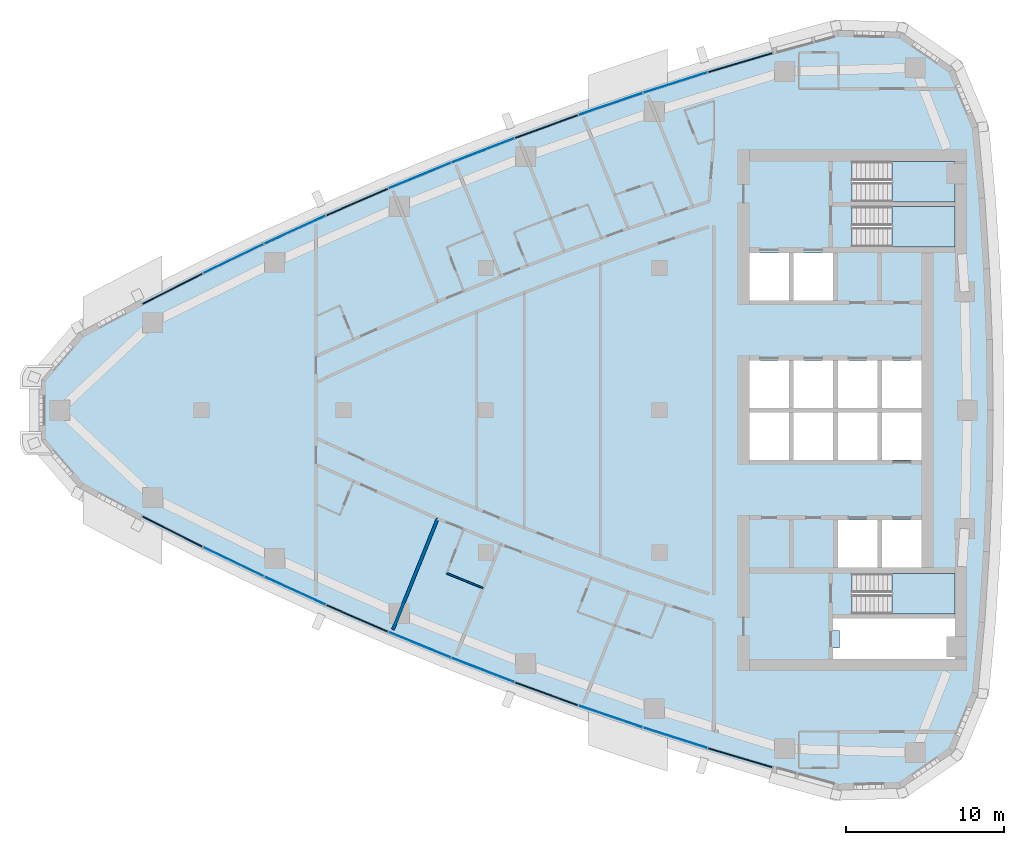
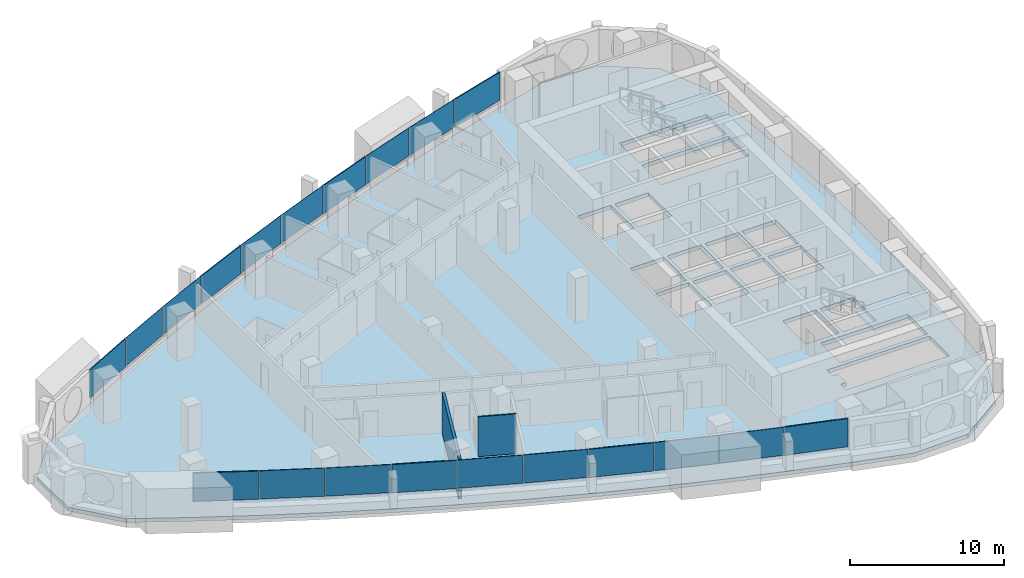
# One storey, part 8 of 17: 20 plates, 4 slabs, 2 walls, 1 opening, 13 elements without a shape of their own.
"""IFC4 building model written with IfcOpenShell, lengths in metres."""

from ifc_helpers import new_model, si_unit, direction, frame, frame_2d, origin, origin_2d, place, context, subcontext, project, spatial, polyline, rectangle, outline, extrude, material, layer, layer_set, type_object, element, aggregate, save


model = new_model("IFC4")

# Units and contexts
model_context = context("Model", 3, precision=1e-05, world=origin(), true_north=direction((0.0, 1.0)))
body_context = subcontext(model_context, "Body", "Model", "MODEL_VIEW")
ifc_project = project(units=[si_unit("LENGTHUNIT", "METRE"), si_unit("AREAUNIT", "SQUARE_METRE"), si_unit("VOLUMEUNIT", "CUBIC_METRE"), si_unit("PLANEANGLEUNIT", "RADIAN"), si_unit("MASSUNIT", "GRAM", prefix="KILO")], contexts=[model_context])

# Site, building, storey
site_placement = place(None, origin())
site = spatial("IfcSite", under=ifc_project, at=site_placement, CompositionType="ELEMENT")
building_placement = place(site_placement, origin())
building = spatial("IfcBuilding", under=site, at=building_placement, Name="Ostrand Prow Hotel Tower", CompositionType="ELEMENT")
storey_placement = place(building_placement, frame((0.0, 0.0, 207.449951171875)))
storey = spatial("IfcBuildingStorey", under=building, at=storey_placement, Name="L52", CompositionType="ELEMENT", Elevation=207.449951171875)

# Curtain wall, plate
ifc_material_1 = material(Name="Insulated glass in bronze anodised frame", Category="glass")
ifc_layer_1 = layer(ifc_material_1, 0.199951171875)
ifc_layer_set_1 = layer_set([ifc_layer_1], Name="Insulated glass in bronze anodised frame")
curtain_wall_type = type_object("IfcCurtainWallType", Name="Strip curtain wall, fritted glass over bronze spandrel", PredefinedType="NOTDEFINED", material=ifc_layer_set_1)
curtain_wall_1_placement = place(storey_placement, origin())
curtain_wall_1 = element("IfcCurtainWall", 1, at=curtain_wall_1_placement, inside=storey, type_object=curtain_wall_type, Name="CW1 run CWS1", PredefinedType="NOTDEFINED")
ifc_material_2 = material(Name="Ceramic-fritted glass", Category="glass")
ifc_layer_2 = layer(ifc_material_2, 0.031982421875)
ifc_layer_set_2 = layer_set([ifc_layer_2], Name="Ceramic-fritted glass")
plate_type_1 = type_object("IfcPlateType", Name="Dot-fritted ceramic glass unit 32 mm", PredefinedType="CURTAIN_PANEL", material=ifc_layer_set_2)
plate_1_placement = place(storey_placement, frame((18.033203125, -9.596435546875, 1.02001953125), z_axis=(0.0, 0.0, 1.0), x_axis=(0.90061633232, -0.434615027304, 0.0)))
plate_1 = element("IfcPlate", 2, at=plate_1_placement, type_object=plate_type_1, Name="CW1 PN-D panel 2.2", PredefinedType="CURTAIN_PANEL", context=body_context, shape_type="SweptSolid", body=[
    extrude(rectangle(XDim=4.2451171875, YDim=0.031982421875, at=origin_2d()), origin(), (0.0, 0.0, 1.0), 2.22998046875),
])

curtain_wall_2_placement = place(storey_placement, origin())
curtain_wall_2 = element("IfcCurtainWall", 3, at=curtain_wall_2_placement, inside=storey, type_object=curtain_wall_type, Name="CW1 run CWS2", PredefinedType="NOTDEFINED")
plate_2_placement = place(storey_placement, frame((21.928955078125, -11.428466796875, 1.02001953125), z_axis=(0.0, 0.0, 1.0), x_axis=(0.909184517226, -0.416393460127, 0.0)))
plate_2 = element("IfcPlate", 4, at=plate_2_placement, type_object=plate_type_1, Name="CW1 PN-D panel 1.2", PredefinedType="CURTAIN_PANEL", context=body_context, shape_type="SweptSolid", body=[
    extrude(rectangle(XDim=4.2451171875, YDim=0.031982421875, at=origin_2d()), origin(), (0.0, 0.0, 1.0), 2.22998046875),
])

# Curtain wall, plates
curtain_wall_3_placement = place(storey_placement, origin())
curtain_wall_3 = element("IfcCurtainWall", 5, at=curtain_wall_3_placement, inside=storey, type_object=curtain_wall_type, Name="CW1 run CWS3", PredefinedType="NOTDEFINED")
plate_3_placement = place(storey_placement, frame((29.826904296875, -14.85498046875, 1.02001953125), z_axis=(0.0, 0.0, 1.0), x_axis=(0.925211042932, -0.379452929936, 0.0)))
plate_3 = element("IfcPlate", 6, at=plate_3_placement, type_object=plate_type_1, Name="CW1 PN-D panel 1.2", PredefinedType="CURTAIN_PANEL", context=body_context, shape_type="SweptSolid", body=[
    extrude(rectangle(XDim=4.2451171875, YDim=0.031982421875, at=origin_2d()), origin(), (0.0, 0.0, 1.0), 2.22998046875),
])
plate_4_placement = place(storey_placement, frame((33.826171875, -16.4482421875, 1.02001953125), z_axis=(0.0, 0.0, 1.0), x_axis=(0.932662950972, -0.360748970732, 0.0)))
plate_4 = element("IfcPlate", 7, at=plate_4_placement, type_object=plate_type_1, Name="CW1 PN-D panel 2.2", PredefinedType="CURTAIN_PANEL", context=body_context, shape_type="SweptSolid", body=[
    extrude(rectangle(XDim=4.2451171875, YDim=0.031982421875, at=origin_2d()), origin(), (0.0, 0.0, 1.0), 2.22998046875),
])
aggregate(curtain_wall_3, [plate_3, plate_4])

# Curtain wall, plate
curtain_wall_4_placement = place(storey_placement, origin())
curtain_wall_4 = element("IfcCurtainWall", 8, at=curtain_wall_4_placement, inside=storey, type_object=curtain_wall_type, Name="CW1 run CWS4", PredefinedType="NOTDEFINED")
plate_5_placement = place(storey_placement, frame((41.91650390625, -19.3916015625, 1.02001953125), z_axis=(0.0, 0.0, 1.0), x_axis=(0.946430245113, -0.322908332404, 0.0)))
plate_5 = element("IfcPlate", 9, at=plate_5_placement, type_object=plate_type_1, Name="CW1 PN-D panel 2.2", PredefinedType="CURTAIN_PANEL", context=body_context, shape_type="SweptSolid", body=[
    extrude(rectangle(XDim=4.2451171875, YDim=0.031982421875, at=origin_2d()), origin(), (0.0, 0.0, 1.0), 2.22998046875),
])

curtain_wall_5_placement = place(storey_placement, origin())
curtain_wall_5 = element("IfcCurtainWall", 10, at=curtain_wall_5_placement, inside=storey, type_object=curtain_wall_type, Name="CW1 run CWS5", PredefinedType="NOTDEFINED")
plate_6_placement = place(storey_placement, frame((46.00439453125, -20.74072265625, 1.02001953125), z_axis=(0.0, 0.0, 1.0), x_axis=(0.952739983864, -0.303786970008, 0.0)))
plate_6 = element("IfcPlate", 11, at=plate_6_placement, type_object=plate_type_1, Name="CW1 PN-D panel 1.2", PredefinedType="CURTAIN_PANEL", context=body_context, shape_type="SweptSolid", body=[
    extrude(rectangle(XDim=4.2451171875, YDim=0.031982421875, at=origin_2d()), origin(), (0.0, 0.0, 1.0), 2.22998046875),
])

curtain_wall_6_placement = place(storey_placement, origin())
curtain_wall_6 = element("IfcCurtainWall", 12, at=curtain_wall_6_placement, inside=storey, type_object=curtain_wall_type, Name="CW1 run CWN1", PredefinedType="NOTDEFINED")
plate_7_placement = place(storey_placement, frame((46.00439453125, 20.74072265625, 1.02001953125), z_axis=(0.0, 0.0, 1.0), x_axis=(-0.952739983864, -0.303786970008, 0.0)))
plate_7 = element("IfcPlate", 13, at=plate_7_placement, type_object=plate_type_1, Name="CW1 PN-D panel 2.2", PredefinedType="CURTAIN_PANEL", context=body_context, shape_type="SweptSolid", body=[
    extrude(rectangle(XDim=4.2451171875, YDim=0.031982421875, at=origin_2d()), origin(), (0.0, 0.0, 1.0), 2.22998046875),
])

curtain_wall_7_placement = place(storey_placement, origin())
curtain_wall_7 = element("IfcCurtainWall", 14, at=curtain_wall_7_placement, inside=storey, type_object=curtain_wall_type, Name="CW1 run CWN2", PredefinedType="NOTDEFINED")
plate_8_placement = place(storey_placement, frame((41.91650390625, 19.3916015625, 1.02001953125), z_axis=(0.0, 0.0, 1.0), x_axis=(-0.946430245113, -0.322908332404, 0.0)))
plate_8 = element("IfcPlate", 15, at=plate_8_placement, type_object=plate_type_1, Name="CW1 PN-D panel 1.2", PredefinedType="CURTAIN_PANEL", context=body_context, shape_type="SweptSolid", body=[
    extrude(rectangle(XDim=4.2451171875, YDim=0.031982421875, at=origin_2d()), origin(), (0.0, 0.0, 1.0), 2.22998046875),
])

# Curtain wall, plates
curtain_wall_8_placement = place(storey_placement, origin())
curtain_wall_8 = element("IfcCurtainWall", 16, at=curtain_wall_8_placement, inside=storey, type_object=curtain_wall_type, Name="CW1 run CWN3", PredefinedType="NOTDEFINED")
plate_9_placement = place(storey_placement, frame((33.826171875, 16.4482421875, 1.02001953125), z_axis=(0.0, 0.0, 1.0), x_axis=(-0.932662950972, -0.360748970732, 0.0)))
plate_9 = element("IfcPlate", 17, at=plate_9_placement, type_object=plate_type_1, Name="CW1 PN-D panel 1.2", PredefinedType="CURTAIN_PANEL", context=body_context, shape_type="SweptSolid", body=[
    extrude(rectangle(XDim=4.2451171875, YDim=0.031982421875, at=origin_2d()), origin(), (0.0, 0.0, 1.0), 2.22998046875),
])
plate_10_placement = place(storey_placement, frame((29.826904296875, 14.85498046875, 1.02001953125), z_axis=(0.0, 0.0, 1.0), x_axis=(-0.925211042932, -0.379452929936, 0.0)))
plate_10 = element("IfcPlate", 18, at=plate_10_placement, type_object=plate_type_1, Name="CW1 PN-D panel 2.2", PredefinedType="CURTAIN_PANEL", context=body_context, shape_type="SweptSolid", body=[
    extrude(rectangle(XDim=4.2451171875, YDim=0.031982421875, at=origin_2d()), origin(), (0.0, 0.0, 1.0), 2.22998046875),
])
aggregate(curtain_wall_8, [plate_9, plate_10])

# Curtain wall, plate
curtain_wall_9_placement = place(storey_placement, origin())
curtain_wall_9 = element("IfcCurtainWall", 19, at=curtain_wall_9_placement, inside=storey, type_object=curtain_wall_type, Name="CW1 run CWN4", PredefinedType="NOTDEFINED")
plate_11_placement = place(storey_placement, frame((21.928955078125, 11.428466796875, 1.02001953125), z_axis=(0.0, 0.0, 1.0), x_axis=(-0.909184517226, -0.416393460127, 0.0)))
plate_11 = element("IfcPlate", 20, at=plate_11_placement, type_object=plate_type_1, Name="CW1 PN-D panel 2.2", PredefinedType="CURTAIN_PANEL", context=body_context, shape_type="SweptSolid", body=[
    extrude(rectangle(XDim=4.2451171875, YDim=0.031982421875, at=origin_2d()), origin(), (0.0, 0.0, 1.0), 2.22998046875),
])

curtain_wall_10_placement = place(storey_placement, origin())
curtain_wall_10 = element("IfcCurtainWall", 21, at=curtain_wall_10_placement, inside=storey, type_object=curtain_wall_type, Name="CW1 run CWN5", PredefinedType="NOTDEFINED")
plate_12_placement = place(storey_placement, frame((18.033203125, 9.596435546875, 1.02001953125), z_axis=(0.0, 0.0, 1.0), x_axis=(-0.90061633232, -0.434615027304, 0.0)))
plate_12 = element("IfcPlate", 22, at=plate_12_placement, type_object=plate_type_1, Name="CW1 PN-D panel 1.2", PredefinedType="CURTAIN_PANEL", context=body_context, shape_type="SweptSolid", body=[
    extrude(rectangle(XDim=4.2451171875, YDim=0.031982421875, at=origin_2d()), origin(), (0.0, 0.0, 1.0), 2.22998046875),
])

# Plate
ifc_material_3 = material(Name="Fritted glass in bronze vent frame", Category="glass")
ifc_layer_3 = layer(ifc_material_3, 0.080078125)
ifc_layer_set_3 = layer_set([ifc_layer_3], Name="Fritted glass in bronze vent frame")
plate_type_2 = type_object("IfcPlateType", Name="Operable vent panel 80 mm", PredefinedType="CURTAIN_PANEL", material=ifc_layer_set_3)
plate_13_placement = place(storey_placement, frame((14.17529296875, -7.6865234375, 1.02001953125), z_axis=(0.0, 0.0, 1.0), x_axis=(0.891683792196, -0.452658828186, 0.0)))
plate_13 = element("IfcPlate", 23, at=plate_13_placement, type_object=plate_type_2, Name="CW1 PN-O2 panel 1.2", PredefinedType="CURTAIN_PANEL", context=body_context, shape_type="SweptSolid", body=[
    extrude(rectangle(XDim=4.2451171875, YDim=0.080078125, at=origin_2d()), origin(), (0.0, 0.0, 1.0), 2.22998046875),
])

aggregate(curtain_wall_1, [plate_13, plate_1])

plate_14_placement = place(storey_placement, frame((25.860595703125, -13.181396484375, 1.02001953125), z_axis=(0.0, 0.0, 1.0), x_axis=(0.917383388347, -0.398004671812, 0.0)))
plate_14 = element("IfcPlate", 24, at=plate_14_placement, type_object=plate_type_2, Name="CW1 PN-O2 panel 2.2", PredefinedType="CURTAIN_PANEL", context=body_context, shape_type="SweptSolid", body=[
    extrude(rectangle(XDim=4.2451171875, YDim=0.080078125, at=origin_2d()), origin(), (0.0, 0.0, 1.0), 2.22998046875),
])

aggregate(curtain_wall_2, [plate_2, plate_14])

plate_15_placement = place(storey_placement, frame((37.8564453125, -17.960693359375, 1.02001953125), z_axis=(0.0, 0.0, 1.0), x_axis=(0.939737383067, -0.341897134919, 0.0)))
plate_15 = element("IfcPlate", 25, at=plate_15_placement, type_object=plate_type_2, Name="CW1 PN-O2 panel 1.2", PredefinedType="CURTAIN_PANEL", context=body_context, shape_type="SweptSolid", body=[
    extrude(rectangle(XDim=4.2451171875, YDim=0.080078125, at=origin_2d()), origin(), (0.0, 0.0, 1.0), 2.22998046875),
])

aggregate(curtain_wall_4, [plate_15, plate_5])

plate_16_placement = place(storey_placement, frame((50.118896484375, -22.007080078125, 1.02001953125), z_axis=(0.0, 0.0, 1.0), x_axis=(0.958662947758, -0.284544113619, 0.0)))
plate_16 = element("IfcPlate", 26, at=plate_16_placement, type_object=plate_type_2, Name="CW1 PN-O2 panel 2.2", PredefinedType="CURTAIN_PANEL", context=body_context, shape_type="SweptSolid", body=[
    extrude(rectangle(XDim=4.2451171875, YDim=0.080078125, at=origin_2d()), origin(), (0.0, 0.0, 1.0), 2.22998046875),
])

aggregate(curtain_wall_5, [plate_6, plate_16])

plate_17_placement = place(storey_placement, frame((50.118896484375, 22.007080078125, 1.02001953125), z_axis=(0.0, 0.0, 1.0), x_axis=(-0.958662947758, -0.284544113619, 0.0)))
plate_17 = element("IfcPlate", 27, at=plate_17_placement, type_object=plate_type_2, Name="CW1 PN-O2 panel 1.2", PredefinedType="CURTAIN_PANEL", context=body_context, shape_type="SweptSolid", body=[
    extrude(rectangle(XDim=4.2451171875, YDim=0.080078125, at=origin_2d()), origin(), (0.0, 0.0, 1.0), 2.22998046875),
])

aggregate(curtain_wall_6, [plate_17, plate_7])

plate_18_placement = place(storey_placement, frame((37.8564453125, 17.960693359375, 1.02001953125), z_axis=(0.0, 0.0, 1.0), x_axis=(-0.939737383067, -0.341897134919, 0.0)))
plate_18 = element("IfcPlate", 28, at=plate_18_placement, type_object=plate_type_2, Name="CW1 PN-O2 panel 2.2", PredefinedType="CURTAIN_PANEL", context=body_context, shape_type="SweptSolid", body=[
    extrude(rectangle(XDim=4.2451171875, YDim=0.080078125, at=origin_2d()), origin(), (0.0, 0.0, 1.0), 2.22998046875),
])

aggregate(curtain_wall_7, [plate_8, plate_18])

plate_19_placement = place(storey_placement, frame((25.860595703125, 13.181396484375, 1.02001953125), z_axis=(0.0, 0.0, 1.0), x_axis=(-0.917383388347, -0.398004671812, 0.0)))
plate_19 = element("IfcPlate", 29, at=plate_19_placement, type_object=plate_type_2, Name="CW1 PN-O2 panel 1.2", PredefinedType="CURTAIN_PANEL", context=body_context, shape_type="SweptSolid", body=[
    extrude(rectangle(XDim=4.2451171875, YDim=0.080078125, at=origin_2d()), origin(), (0.0, 0.0, 1.0), 2.22998046875),
])

aggregate(curtain_wall_9, [plate_19, plate_11])

plate_20_placement = place(storey_placement, frame((14.17529296875, 7.6865234375, 1.02001953125), z_axis=(0.0, 0.0, 1.0), x_axis=(-0.891683792196, -0.452658828186, 0.0)))
plate_20 = element("IfcPlate", 30, at=plate_20_placement, type_object=plate_type_2, Name="CW1 PN-O2 panel 2.2", PredefinedType="CURTAIN_PANEL", context=body_context, shape_type="SweptSolid", body=[
    extrude(rectangle(XDim=4.2451171875, YDim=0.080078125, at=origin_2d()), origin(), (0.0, 0.0, 1.0), 2.22998046875),
])

aggregate(curtain_wall_10, [plate_12, plate_20])

# Slab, opening
ifc_material_4 = material(Name="Concrete C40/50", Category="concrete")
ifc_layer_4 = layer(ifc_material_4, 0.300048828125)
ifc_layer_set_4 = layer_set([ifc_layer_4], Name="Concrete C40/50")
slab_type_1 = type_object("IfcSlabType", Name="PT flat plate 300 C40/50", PredefinedType="FLOOR", material=ifc_layer_set_4)
slab_1_placement = place(storey_placement, frame((0.0, 0.0, -0.300048828125)))
slab_1 = element("IfcSlab", 31, at=slab_1_placement, inside=storey, type_object=slab_type_1, Name="Floor slab L52-1", PredefinedType="FLOOR", context=body_context, shape_type="SweptSolid", body=[
    extrude(outline(polyline([(8.22216796875, 5.025634765625), (12.06689453125, 7.07568359375), (15.912841796875, 9.0283203125), (19.797607421875, 10.90283203125), (23.718994140625, 12.698974609375), (27.676025390625, 14.41552734375), (31.666748046875, 16.05224609375), (35.689697265625, 17.6083984375), (39.7431640625, 19.0830078125), (43.8251953125, 20.475830078125), (47.934814453125, 21.7861328125), (52.06982421875, 23.013427734375), (56.26220703125, 24.16650390625), (60.3349609375, 24.0498046875), (63.721435546875, 21.719482421875), (65.2861328125, 17.957275390625), (65.70947265625, 13.453369140625), (66.009765625, 8.974365234375), (66.18994140625, 4.48876953125), (66.25, 0.0), (66.18994140625, -4.48876953125), (66.009765625, -8.974365234375), (65.70947265625, -13.453369140625), (65.2861328125, -17.957275390625), (63.721435546875, -21.719482421875), (60.3349609375, -24.0498046875), (56.26220703125, -24.16650390625), (52.06982421875, -23.013427734375), (47.934814453125, -21.7861328125), (43.8251953125, -20.475830078125), (39.7431640625, -19.0830078125), (35.689697265625, -17.6083984375), (31.666748046875, -16.05224609375), (27.676025390625, -14.41552734375), (23.718994140625, -12.698974609375), (19.797607421875, -10.90283203125), (15.912841796875, -9.0283203125), (12.06689453125, -7.07568359375), (8.22216796875, -5.025634765625), (5.614013671875, -2.014892578125), (5.614013671875, 2.014892578125), (8.22216796875, 5.025634765625)]), holes=[polyline([(50.699951171875, 6.949951171875), (53.199951171875, 6.949951171875), (53.199951171875, 9.949951171875), (50.699951171875, 9.949951171875), (50.699951171875, 6.949951171875)]), polyline([(53.5, 6.949951171875), (56.0, 6.949951171875), (56.0, 9.949951171875), (53.5, 9.949951171875), (53.5, 6.949951171875)]), polyline([(50.699951171875, 0.14990234375), (53.199951171875, 0.14990234375), (53.199951171875, 3.14990234375), (50.699951171875, 3.14990234375), (50.699951171875, 0.14990234375)]), polyline([(53.5, 0.14990234375), (56.0, 0.14990234375), (56.0, 3.14990234375), (53.5, 3.14990234375), (53.5, 0.14990234375)]), polyline([(56.300048828125, 0.14990234375), (58.800048828125, 0.14990234375), (58.800048828125, 3.14990234375), (56.300048828125, 3.14990234375), (56.300048828125, 0.14990234375)]), polyline([(59.10009765625, 0.14990234375), (61.60009765625, 0.14990234375), (61.60009765625, 3.14990234375), (59.10009765625, 3.14990234375), (59.10009765625, 0.14990234375)]), polyline([(50.699951171875, -3.14990234375), (53.199951171875, -3.14990234375), (53.199951171875, -0.14990234375), (50.699951171875, -0.14990234375), (50.699951171875, -3.14990234375)]), polyline([(53.5, -3.14990234375), (56.0, -3.14990234375), (56.0, -0.14990234375), (53.5, -0.14990234375), (53.5, -3.14990234375)]), polyline([(56.300048828125, -3.14990234375), (58.800048828125, -3.14990234375), (58.800048828125, -0.14990234375), (56.300048828125, -0.14990234375), (56.300048828125, -3.14990234375)]), polyline([(59.10009765625, -3.14990234375), (61.60009765625, -3.14990234375), (61.60009765625, -0.14990234375), (59.10009765625, -0.14990234375), (59.10009765625, -3.14990234375)]), polyline([(56.300048828125, -9.949951171875), (58.800048828125, -9.949951171875), (58.800048828125, -6.949951171875), (56.300048828125, -6.949951171875), (56.300048828125, -9.949951171875)]), polyline([(59.10009765625, -9.949951171875), (61.60009765625, -9.949951171875), (61.60009765625, -6.949951171875), (59.10009765625, -6.949951171875), (59.10009765625, -9.949951171875)]), polyline([(57.200927734375, 10.35107421875), (57.200927734375, 12.89892578125), (63.718994140625, 12.89892578125), (63.718994140625, 10.35107421875), (57.200927734375, 10.35107421875)]), polyline([(57.200927734375, 13.200927734375), (57.200927734375, 15.7490234375), (63.718994140625, 15.7490234375), (63.718994140625, 13.200927734375), (57.200927734375, 13.200927734375)]), polyline([(57.200927734375, -12.89892578125), (57.200927734375, -10.35107421875), (63.718994140625, -10.35107421875), (63.718994140625, -12.89892578125), (57.200927734375, -12.89892578125)]), polyline([(63.719970703125, -13.199951171875), (63.719970703125, -15.75), (56.0, -15.75), (56.0, -15.050048828125), (56.39990234375, -15.050048828125), (56.39990234375, -13.949951171875), (56.0, -13.949951171875), (56.0, -13.199951171875), (63.719970703125, -13.199951171875)])]), origin(), (0.0, 0.0, 1.0), 0.300048828125),
])
opening_placement = place(slab_1_placement, origin())
element("IfcOpeningElement", 32, at=opening_placement, cuts=slab_1, Name="Shaft opening 1", PredefinedType="OPENING", context=body_context, shape_type="SweptSolid", body=[
    extrude(outline(polyline([(63.719970703125, -13.199951171875), (63.719970703125, -15.75), (56.0, -15.75), (56.0, -15.050048828125), (56.39990234375, -15.050048828125), (56.39990234375, -13.949951171875), (56.0, -13.949951171875), (56.0, -13.199951171875), (63.719970703125, -13.199951171875)])), origin(), (0.0, 0.0, 1.0), 0.300048828125),
])

# Stair, slab
ifc_material_5 = material(Name="Concrete C40/50", Category="concrete")
stair_type = type_object("IfcStairType", Name="Exit stair 1200 upper zone", PredefinedType="HALF_TURN_STAIR", material=ifc_material_5)
stair_1_placement = place(storey_placement, origin())
stair_1 = element("IfcStair", 33, at=stair_1_placement, inside=storey, type_object=stair_type, Name="L52 ST1C", PredefinedType="HALF_TURN_STAIR")
ifc_material_6 = material(Name="Concrete C40/50", Category="concrete")
ifc_layer_5 = layer(ifc_material_6, 0.199951171875)
ifc_layer_set_5 = layer_set([ifc_layer_5], Name="Concrete C40/50")
slab_type_2 = type_object("IfcSlabType", Name="Stair landing 200 concrete", PredefinedType="LANDING", material=ifc_layer_set_5)
slab_2_placement = place(storey_placement, frame((0.0, 0.0, 1.574951171875)))
slab_2 = element("IfcSlab", 34, at=slab_2_placement, type_object=slab_type_2, Name="ST1C landing 1", PredefinedType="LANDING", context=body_context, shape_type="SweptSolid", body=[
    extrude(outline(polyline([(59.719970703125, 10.35009765625), (63.719970703125, 10.35009765625), (63.719970703125, 12.89990234375), (59.719970703125, 12.89990234375), (59.719970703125, 10.35009765625)])), origin(), (0.0, 0.0, 1.0), 0.2001953125),
])
aggregate(stair_1, [slab_2])

stair_2_placement = place(storey_placement, origin())
stair_2 = element("IfcStair", 35, at=stair_2_placement, inside=storey, type_object=stair_type, Name="L52 ST3C", PredefinedType="HALF_TURN_STAIR")
slab_3_placement = place(storey_placement, frame((0.0, 0.0, 1.574951171875)))
slab_3 = element("IfcSlab", 36, at=slab_3_placement, type_object=slab_type_2, Name="ST3C landing 1", PredefinedType="LANDING", context=body_context, shape_type="SweptSolid", body=[
    extrude(outline(polyline([(59.719970703125, 13.199951171875), (63.719970703125, 13.199951171875), (63.719970703125, 15.75), (59.719970703125, 15.75), (59.719970703125, 13.199951171875)])), origin(), (0.0, 0.0, 1.0), 0.2001953125),
])
aggregate(stair_2, [slab_3])

stair_3_placement = place(storey_placement, origin())
stair_3 = element("IfcStair", 37, at=stair_3_placement, inside=storey, type_object=stair_type, Name="L52 ST2C", PredefinedType="HALF_TURN_STAIR")
slab_4_placement = place(storey_placement, frame((0.0, 0.0, 1.574951171875)))
slab_4 = element("IfcSlab", 38, at=slab_4_placement, type_object=slab_type_2, Name="ST2C landing 1", PredefinedType="LANDING", context=body_context, shape_type="SweptSolid", body=[
    extrude(outline(polyline([(59.719970703125, -12.89990234375), (63.719970703125, -12.89990234375), (63.719970703125, -10.35009765625), (59.719970703125, -10.35009765625), (59.719970703125, -12.89990234375)])), origin(), (0.0, 0.0, 1.0), 0.2001953125),
])
aggregate(stair_3, [slab_4])

# Walls
ifc_material_7 = material(Name="Plasterboard partition")
ifc_layer_6 = layer(ifc_material_7, 0.10009765625)
ifc_layer_set_6 = layer_set([ifc_layer_6], Name="Plasterboard partition")
wall_type_1 = type_object("IfcWallType", Name="Partition 100 bathroom wall", PredefinedType="PARTITIONING", material=ifc_layer_set_6)
wall_1_placement = place(storey_placement, frame((33.833984375, -11.261474609375, 0.0), z_axis=(0.0, 0.0, 1.0), x_axis=(-0.925906573805, 0.377752586469, 0.0)))
element("IfcWall", 39, at=wall_1_placement, inside=storey, type_object=wall_type_1, Name="BATHROOM WALL", PredefinedType="PARTITIONING", context=body_context, shape_type="SweptSolid", body=[
    extrude(rectangle(XDim=2.484375, YDim=0.10009765625, at=frame_2d((1.2421875, 0.0))), origin(), (0.0, 0.0, 1.0), 3.150146484375),
])
ifc_material_8 = material(Name="Plasterboard partition")
ifc_layer_7 = layer(ifc_material_8, 0.199951171875)
ifc_layer_set_7 = layer_set([ifc_layer_7], Name="Plasterboard partition")
wall_type_2 = type_object("IfcWallType", Name="Partition 200 key partition", PredefinedType="PARTITIONING", material=ifc_layer_set_7)
wall_2_placement = place(storey_placement, frame((28.123779296875, -13.896728515625, 0.0), z_axis=(0.0, 0.0, 1.0), x_axis=(0.373876084216, 0.927478664796, 0.0)))
element("IfcWall", 40, at=wall_2_placement, inside=storey, type_object=wall_type_2, Name="KEY PARTITION", PredefinedType="PARTITIONING", context=body_context, shape_type="SweptSolid", body=[
    extrude(rectangle(XDim=7.600341796875, YDim=0.199951171875, at=frame_2d((3.80029296875, 0.0))), origin(), (0.0, 0.0, 1.0), 3.150146484375),
])

save(model, "model.ifc")
